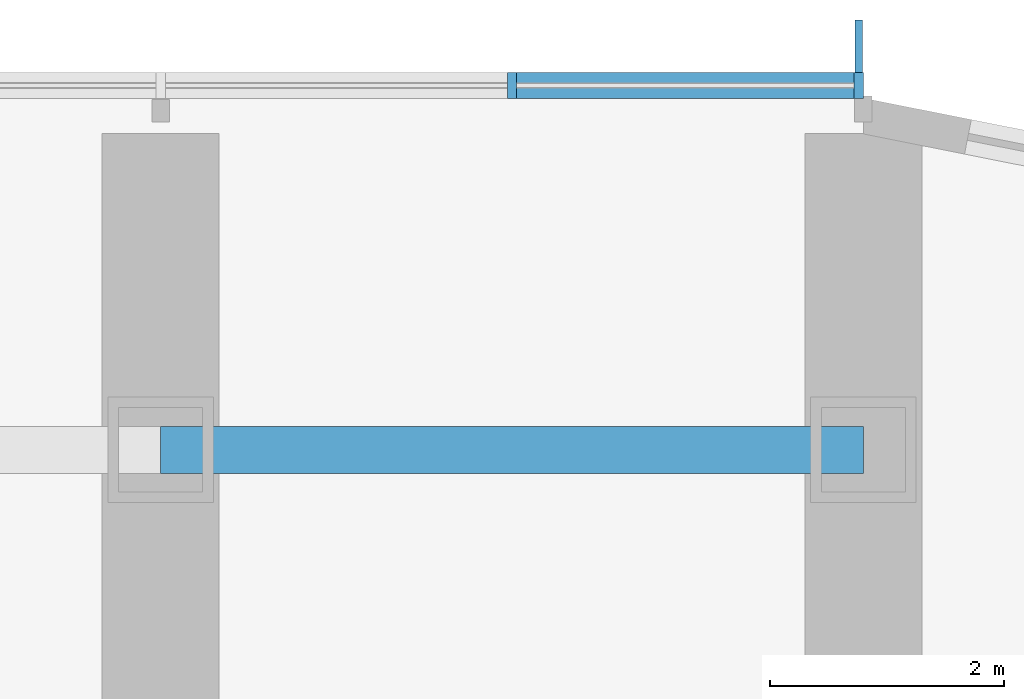
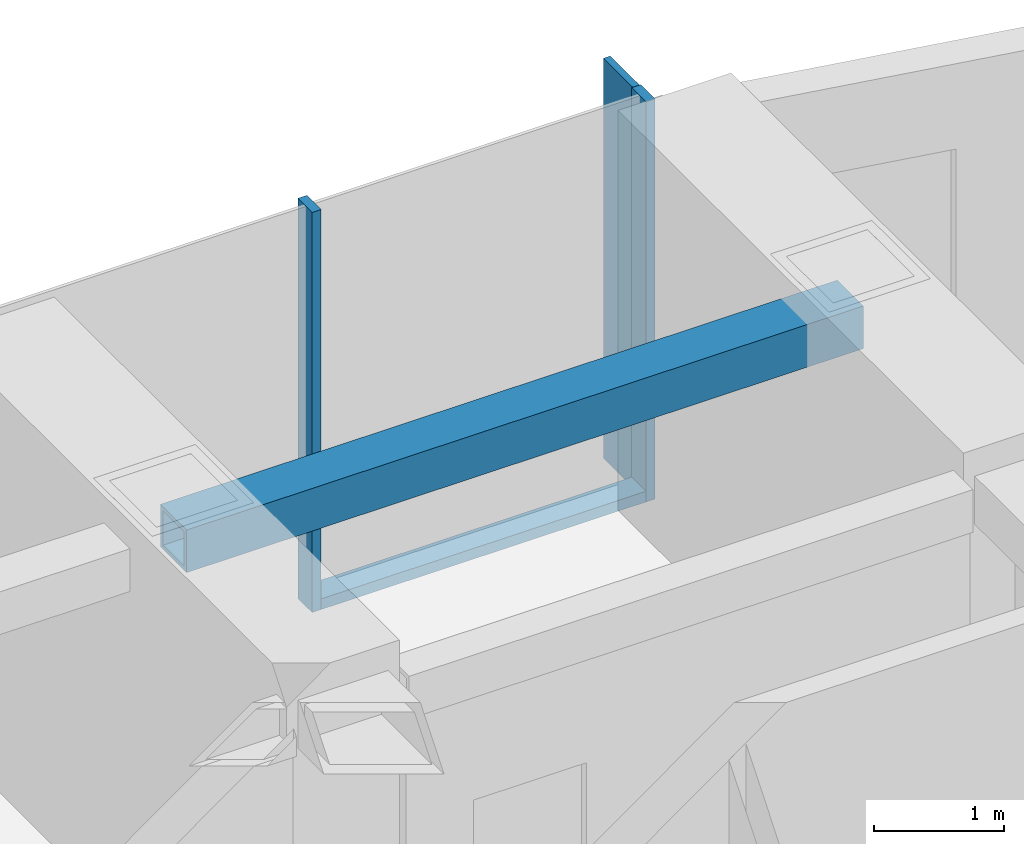
# One storey, part 7 of 22: 4 members, 1 beam, 1 element without a shape of its own.
"""IFC4 building model written with IfcOpenShell, lengths in metres."""

from ifc_helpers import new_model, si_unit, direction, frame, origin, origin_2d, place, context, subcontext, project, spatial, rectangle, hollow_rectangle, extrude, material, material_profile, profile_set, type_object, element, aggregate, save


model = new_model("IFC4")

# Units and contexts
model_context = context("Model", 3, precision=1e-05, world=origin(), true_north=direction((0.0, 1.0)))
body_context = subcontext(model_context, "Body", "Model", "MODEL_VIEW")
ifc_project = project(units=[si_unit("LENGTHUNIT", "METRE"), si_unit("AREAUNIT", "SQUARE_METRE"), si_unit("VOLUMEUNIT", "CUBIC_METRE"), si_unit("PLANEANGLEUNIT", "RADIAN"), si_unit("MASSUNIT", "GRAM", prefix="KILO")], contexts=[model_context])

# Site, building, storey
site_placement = place(None, origin())
site = spatial("IfcSite", under=ifc_project, at=site_placement, CompositionType="ELEMENT")
building_placement = place(site_placement, origin())
building = spatial("IfcBuilding", under=site, at=building_placement, Name="Orbita Commons", CompositionType="ELEMENT")
storey_placement = place(building_placement, frame((0.0, 0.0, 57.699951171875)))
storey = spatial("IfcBuildingStorey", under=building, at=storey_placement, Name="L14", CompositionType="ELEMENT", Elevation=57.699951171875)

# Curtain wall, members
ifc_material_1 = material(Name="Anodised aluminium frame, pale silver", Category="aluminium")
curtain_wall_type = type_object("IfcCurtainWallType", Name="Unitised curtain wall CW-T, vision and spandrel", PredefinedType="NOTDEFINED", material=ifc_material_1)
curtain_wall_placement = place(storey_placement, origin())
curtain_wall = element("IfcCurtainWall", 1, at=curtain_wall_placement, inside=storey, type_object=curtain_wall_type, Name="Curtain wall north L14", PredefinedType="NOTDEFINED")
ifc_material_2 = material(Name="Anodised aluminium, pale silver", Category="aluminium")
ifc_material_profile_1 = material_profile(ifc_material_2, rectangle(XDim=0.080078125, YDim=0.219970703125, at=origin_2d()), Name="AL 80x220")
ifc_profile_set_1 = profile_set([ifc_material_profile_1], Name="Anodised aluminium, pale silver")
member_type_1 = type_object("IfcMemberType", Name="Curtain wall mullion 80x220", PredefinedType="MULLION", material=ifc_profile_set_1)
member_1_placement = place(storey_placement, frame((71.9599609375, 56.7099609375, -0.25), z_axis=(0.0, 0.0, 1.0), x_axis=(-1.0, 0.0, 0.0)))
member_1 = element("IfcMember", 2, at=member_1_placement, type_object=member_type_1, Name="Mullion 1 CW-L14-N", PredefinedType="MULLION", context=body_context, shape_type="SweptSolid", body=[
    extrude(rectangle(XDim=0.080078125, YDim=0.219970703125, at=origin_2d()), origin(), (0.0, 0.0, 1.0), 3.75),
])
member_2_placement = place(storey_placement, frame((69.0, 56.7099609375, -0.25), z_axis=(0.0, 0.0, 1.0), x_axis=(-1.0, 0.0, 0.0)))
member_2 = element("IfcMember", 3, at=member_2_placement, type_object=member_type_1, Name="Mullion 2 CW-L14-N", PredefinedType="MULLION", context=body_context, shape_type="SweptSolid", body=[
    extrude(rectangle(XDim=0.080078125, YDim=0.219970703125, at=origin_2d()), origin(), (0.0, 0.0, 1.0), 3.75),
])
ifc_material_3 = material(Name="Anodised aluminium, pale silver", Category="aluminium")
ifc_material_profile_2 = material_profile(ifc_material_3, rectangle(XDim=0.219970703125, YDim=0.10009765625, at=origin_2d()), Name="AL 220x100")
ifc_profile_set_2 = profile_set([ifc_material_profile_2], Name="Anodised aluminium, pale silver")
member_type_2 = type_object("IfcMemberType", Name="Curtain wall stack transom 220x100", PredefinedType="USERDEFINED", material=ifc_profile_set_2)
member_3_placement = place(storey_placement, frame((71.919921875, 56.7099609375, -0.199951171875), z_axis=(-1.0, 0.0, 0.0), x_axis=(0.0, -1.0, 0.0)))
member_3 = element("IfcMember", 4, at=member_3_placement, type_object=member_type_2, Name="Transom 1.1 CW-L14-N", ObjectType="TRANSOM", PredefinedType="USERDEFINED", context=body_context, shape_type="SweptSolid", body=[
    extrude(rectangle(XDim=0.219970703125, YDim=0.10009765625, at=origin_2d()), origin(), (0.0, 0.0, 1.0), 2.8798828125),
])

# Beam
ifc_material_4 = material(Name="Steel ASTM A572 Gr 50 welded plate", Category="steel")
ifc_material_profile_3 = material_profile(ifc_material_4, hollow_rectangle(XDim=0.39990234375, YDim=0.39990234375, WallThickness=0.0400390625, at=origin_2d()), Name="BOX 400x400x40")
ifc_profile_set_3 = profile_set([ifc_material_profile_3], Name="Steel ASTM A572 Gr 50 welded plate")
beam_type = type_object("IfcBeamType", Name="Steel spandrel BOX 400x400x40", PredefinedType="SPANDREL", material=ifc_profile_set_3)
beam_placement = place(storey_placement, frame((66.0, 53.60009765625, 3.300048828125), z_axis=(1.0, 0.0, 0.0), x_axis=(0.0, 1.0, 0.0)))
element("IfcBeam", 5, at=beam_placement, inside=storey, type_object=beam_type, Name="Spandrel beam E 12-13 L14", PredefinedType="SPANDREL", context=body_context, shape_type="SweptSolid", body=[
    extrude(hollow_rectangle(XDim=0.39990234375, YDim=0.39990234375, WallThickness=0.0400390625, at=origin_2d()), origin(), (0.0, 0.0, 1.0), 6.0),
])

# Member
ifc_material_5 = material(Name="Anodised aluminium, pale silver", Category="aluminium")
ifc_material_profile_4 = material_profile(ifc_material_5, rectangle(XDim=0.06005859375, YDim=0.449951171875, at=origin_2d()), Name="FIN 60x450")
ifc_profile_set_4 = profile_set([ifc_material_profile_4], Name="Anodised aluminium, pale silver")
member_type_3 = type_object("IfcMemberType", Name="Vertical fin 60x450 pale aluminium", PredefinedType="USERDEFINED", material=ifc_profile_set_4)
member_4_placement = place(storey_placement, frame((71.9599609375, 57.044921875, -0.25), z_axis=(0.0, 0.0, 1.0), x_axis=(-1.0, 0.0, 0.0)))
member_4 = element("IfcMember", 6, at=member_4_placement, type_object=member_type_3, Name="Fin 1 CW-L14-N", ObjectType="FIN", PredefinedType="USERDEFINED", context=body_context, shape_type="SweptSolid", body=[
    extrude(rectangle(XDim=0.06005859375, YDim=0.449951171875, at=origin_2d()), origin(), (0.0, 0.0, 1.0), 3.75),
])

aggregate(curtain_wall, [member_1, member_4, member_2, member_3])

save(model, "model.ifc")
